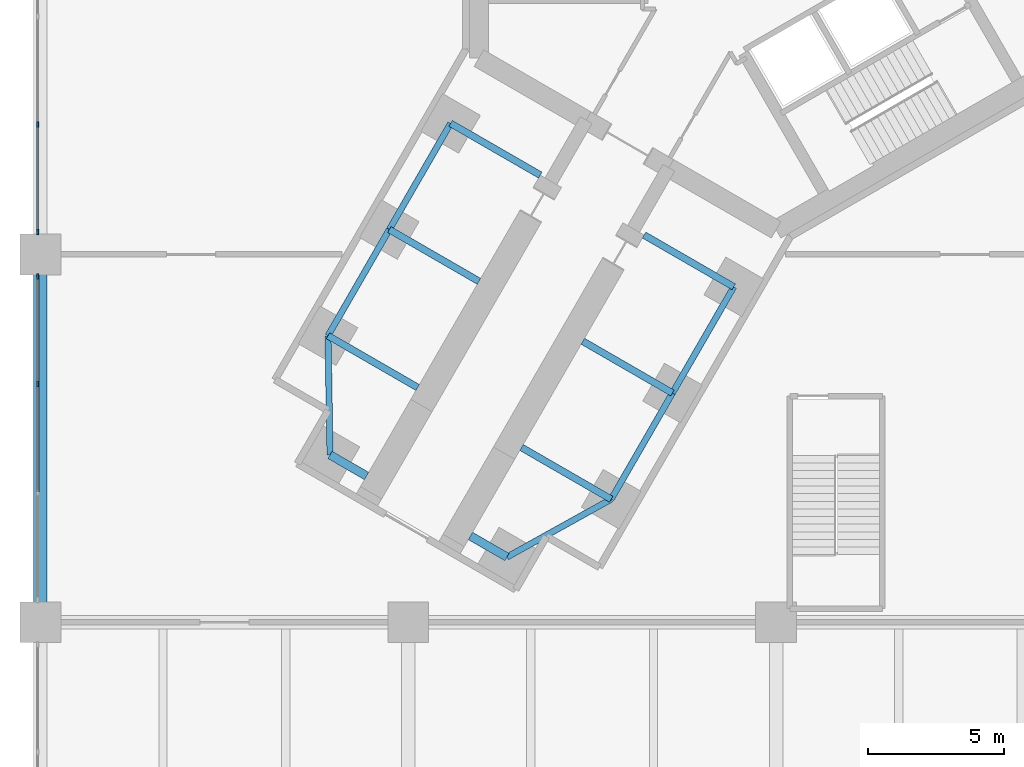
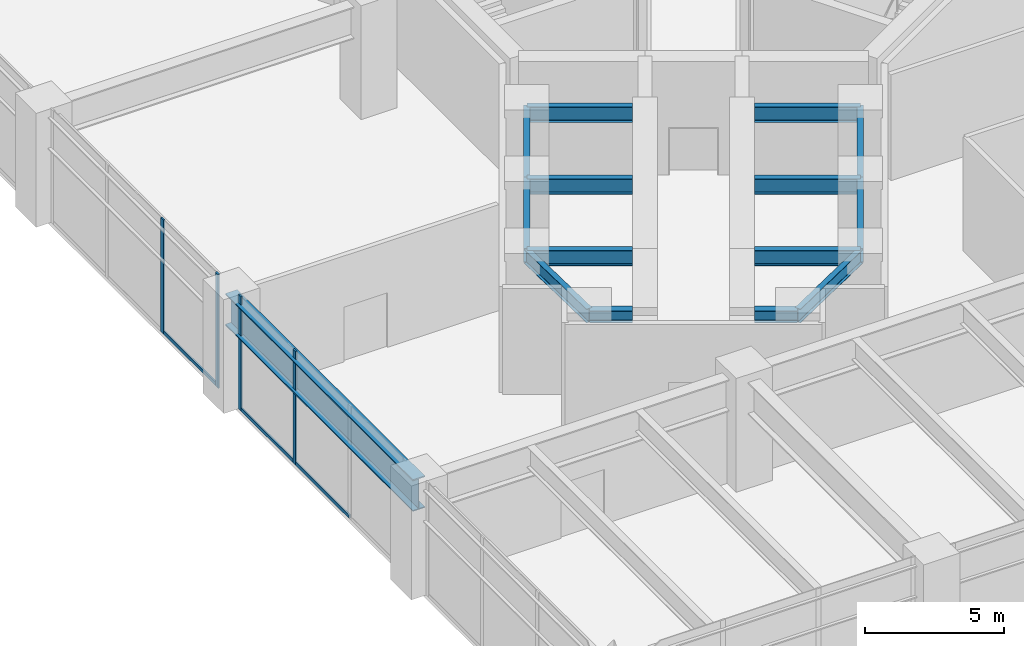
# One storey, part 3 of 32: 15 beams, 7 members, 2 elements without a shape of their own.
"""IFC4 building model written with IfcOpenShell, lengths in metres."""

from ifc_helpers import new_model, si_unit, direction, frame, origin, origin_2d, place, context, subcontext, project, spatial, rectangle, i_section, extrude, material, material_profile, profile_set, type_object, element, aggregate, save


model = new_model("IFC4")

# Units and contexts
model_context = context("Model", 3, precision=1e-05, world=origin(), true_north=direction((0.0, 1.0)))
body_context = subcontext(model_context, "Body", "Model", "MODEL_VIEW")
ifc_project = project(units=[si_unit("LENGTHUNIT", "METRE"), si_unit("AREAUNIT", "SQUARE_METRE"), si_unit("VOLUMEUNIT", "CUBIC_METRE"), si_unit("PLANEANGLEUNIT", "RADIAN"), si_unit("MASSUNIT", "GRAM", prefix="KILO")], contexts=[model_context])

# Site, building, storey
site_placement = place(None, origin())
site = spatial("IfcSite", under=ifc_project, at=site_placement, CompositionType="ELEMENT")
building_placement = place(site_placement, origin())
building = spatial("IfcBuilding", under=site, at=building_placement, Name="Upepo Twin Towers", CompositionType="ELEMENT")
storey_placement = place(building_placement, frame((0.0, 0.0, 5.5)))
storey = spatial("IfcBuildingStorey", under=building, at=storey_placement, Name="L01", CompositionType="ELEMENT", Elevation=5.5)

# Beams
ifc_material_1 = material(Name="Steel S355", Category="steel")
ifc_material_profile_1 = material_profile(ifc_material_1, i_section(OverallWidth=0.5, OverallDepth=1.39990234375, WebThickness=0.02490234375, FlangeThickness=0.050048828125, FilletRadius=0.008056640625, at=origin_2d()), Name="PG 1400x500x25x50")
ifc_profile_set_1 = profile_set([ifc_material_profile_1], Name="Steel S355")
beam_type_1 = type_object("IfcBeamType", Name="Beam PG 1400x500x25x50", PredefinedType="BEAM", material=ifc_profile_set_1)
beam_1_placement = place(storey_placement, frame((-27.0, -27.0, 3.949951171875), z_axis=(0.0, 1.0, 0.0), x_axis=(-1.0, 0.0, 0.0)))
element("IfcBeam", 1, at=beam_1_placement, inside=storey, type_object=beam_type_1, Name="Podium girder 1/B-C", PredefinedType="BEAM", context=body_context, shape_type="SweptSolid", body=[
    extrude(i_section(OverallWidth=0.5, OverallDepth=1.39990234375, WebThickness=0.02490234375, FlangeThickness=0.050048828125, FilletRadius=0.008056640625, at=origin_2d()), origin(), (0.0, 0.0, 1.0), 13.5),
])
ifc_material_2 = material(Name="Steel S355", Category="steel")
ifc_material_profile_2 = material_profile(ifc_material_2, i_section(OverallWidth=0.31201171875, OverallDepth=0.54345703125, WebThickness=0.0126953125, FlangeThickness=0.020263671875, FilletRadius=0.0126953125, at=origin_2d()), Name="UB 533x312x150")
ifc_profile_set_2 = profile_set([ifc_material_profile_2], Name="Steel S355")
beam_type_2 = type_object("IfcBeamType", Name="Beam UB 533x312x150", PredefinedType="BEAM", material=ifc_profile_set_2)
for number, where, z_axis, x_axis, name in (
    (2, (-9.87744140625, -24.608154296875, 4.378173828125), (-0.866043940782, 0.499967891604, 0.0), (-0.499967891604, -0.866043940782, 0.0), "T1 nose beam CL"),
    (3, (-16.37255859375, -20.858154296875, 4.378173828125), (0.866043940782, -0.499967891604, 0.0), (0.499967891604, 0.866043940782, 0.0), "T1 nose beam CR"),
):
    element("IfcBeam", number, at=place(storey_placement, frame(where, z_axis=z_axis, x_axis=x_axis)), inside=storey, type_object=beam_type_2, Name=name, PredefinedType="BEAM", context=body_context, shape_type="SweptSolid", body=[
        extrude(i_section(OverallWidth=0.31201171875, OverallDepth=0.54345703125, WebThickness=0.0126953125, FlangeThickness=0.020263671875, FilletRadius=0.0126953125, at=origin_2d()), origin(), (0.0, 0.0, 1.0), 1.5498046875),
    ])
ifc_material_3 = material(Name="Steel S355", Category="steel")
ifc_material_profile_3 = material_profile(ifc_material_3, i_section(OverallWidth=0.228271484375, OverallDepth=0.607666015625, WebThickness=0.010986328125, FlangeThickness=0.017333984375, FilletRadius=0.0126953125, at=origin_2d()), Name="UB 610x229x113")
ifc_profile_set_3 = profile_set([ifc_material_profile_3], Name="Steel S355")
beam_type_3 = type_object("IfcBeamType", Name="Beam UB 610x229x113", PredefinedType="BEAM", material=ifc_profile_set_3)
beam_2_placement = place(storey_placement, frame((-1.553955078125, -14.69140625, 4.34619140625), z_axis=(-0.500013631625, -0.866017533419, 0.0), x_axis=(0.866017533419, -0.500013631625, 0.0)))
element("IfcBeam", 4, at=beam_2_placement, inside=storey, type_object=beam_type_3, Name="T1 edge beam CL 13.5-18.0", PredefinedType="BEAM", context=body_context, shape_type="SweptSolid", body=[
    extrude(i_section(OverallWidth=0.228271484375, OverallDepth=0.607666015625, WebThickness=0.010986328125, FlangeThickness=0.017333984375, FilletRadius=0.0126953125, at=origin_2d()), origin(), (0.0, 0.0, 1.0), 4.499755859375),
])
beam_3_placement = place(storey_placement, frame((-3.803955078125, -18.58837890625, 4.34619140625), z_axis=(-0.499990139034, -0.866031096941, 0.0), x_axis=(0.866031096941, -0.499990139034, 0.0)))
element("IfcBeam", 5, at=beam_3_placement, inside=storey, type_object=beam_type_3, Name="T1 edge beam CL 18.0-22.5", PredefinedType="BEAM", context=body_context, shape_type="SweptSolid", body=[
    extrude(i_section(OverallWidth=0.228271484375, OverallDepth=0.607666015625, WebThickness=0.010986328125, FlangeThickness=0.017333984375, FilletRadius=0.0126953125, at=origin_2d()), origin(), (0.0, 0.0, 1.0), 4.5),
])
beam_4_placement = place(storey_placement, frame((-6.053955078125, -22.485595703125, 4.34619140625), z_axis=(-0.874312600038, -0.485363242752, 0.0), x_axis=(0.485363242752, -0.874312600038, 0.0)))
element("IfcBeam", 6, at=beam_4_placement, inside=storey, type_object=beam_type_3, Name="T1 nose edge beam CL", PredefinedType="BEAM", context=body_context, shape_type="SweptSolid", body=[
    extrude(i_section(OverallWidth=0.228271484375, OverallDepth=0.607666015625, WebThickness=0.010986328125, FlangeThickness=0.017333984375, FilletRadius=0.0126953125, at=origin_2d()), origin(), (0.0, 0.0, 1.0), 4.373046875),
])
beam_5_placement = place(storey_placement, frame((-11.946044921875, -8.69140625, 4.34619140625), z_axis=(-0.500013631625, -0.866017533419, 0.0), x_axis=(0.866017533419, -0.500013631625, 0.0)))
element("IfcBeam", 7, at=beam_5_placement, inside=storey, type_object=beam_type_3, Name="T1 edge beam CR 13.5-18.0", PredefinedType="BEAM", context=body_context, shape_type="SweptSolid", body=[
    extrude(i_section(OverallWidth=0.228271484375, OverallDepth=0.607666015625, WebThickness=0.010986328125, FlangeThickness=0.017333984375, FilletRadius=0.0126953125, at=origin_2d()), origin(), (0.0, 0.0, 1.0), 4.499755859375),
])
beam_6_placement = place(storey_placement, frame((-14.196044921875, -12.58837890625, 4.34619140625), z_axis=(-0.499990139034, -0.866031096941, 0.0), x_axis=(0.866031096941, -0.499990139034, 0.0)))
element("IfcBeam", 8, at=beam_6_placement, inside=storey, type_object=beam_type_3, Name="T1 edge beam CR 18.0-22.5", PredefinedType="BEAM", context=body_context, shape_type="SweptSolid", body=[
    extrude(i_section(OverallWidth=0.228271484375, OverallDepth=0.607666015625, WebThickness=0.010986328125, FlangeThickness=0.017333984375, FilletRadius=0.0126953125, at=origin_2d()), origin(), (0.0, 0.0, 1.0), 4.5),
])
beam_7_placement = place(storey_placement, frame((-16.446044921875, -16.485595703125, 4.34619140625), z_axis=(0.016803880528, -0.999858804832, 0.0), x_axis=(0.999858804832, 0.016803880528, 0.0)))
element("IfcBeam", 9, at=beam_7_placement, inside=storey, type_object=beam_type_3, Name="T1 nose edge beam CR", PredefinedType="BEAM", context=body_context, shape_type="SweptSolid", body=[
    extrude(i_section(OverallWidth=0.228271484375, OverallDepth=0.607666015625, WebThickness=0.010986328125, FlangeThickness=0.017333984375, FilletRadius=0.0126953125, at=origin_2d()), origin(), (0.0, 0.0, 1.0), 4.373291015625),
])
ifc_material_4 = material(Name="Steel S355", Category="steel")
ifc_material_profile_4 = material_profile(ifc_material_4, i_section(OverallWidth=0.253662109375, OverallDepth=0.68359375, WebThickness=0.012451171875, FlangeThickness=0.01904296875, FilletRadius=0.01513671875, at=origin_2d()), Name="UB 686x254x140")
ifc_profile_set_4 = profile_set([ifc_material_profile_4], Name="Steel S355")
beam_type_4 = type_object("IfcBeamType", Name="Beam UB 686x254x140", PredefinedType="BEAM", material=ifc_profile_set_4)
beam_8_placement = place(storey_placement, frame((-1.553955078125, -14.69140625, 4.308349609375), z_axis=(-0.866000483506, 0.500043160704, 0.0), x_axis=(-0.500043160704, -0.866000483506, 0.0)))
element("IfcBeam", 10, at=beam_8_placement, inside=storey, type_object=beam_type_4, Name="T1 girder CL at 13.5", PredefinedType="BEAM", context=body_context, shape_type="SweptSolid", body=[
    extrude(i_section(OverallWidth=0.253662109375, OverallDepth=0.68359375, WebThickness=0.012451171875, FlangeThickness=0.01904296875, FilletRadius=0.01513671875, at=origin_2d()), origin(), (0.0, 0.0, 1.0), 3.800048828125),
])
for number, where, z_axis, x_axis, name in (
    (11, (-3.803955078125, -18.58837890625, 4.308349609375), (-0.866028304915, 0.499994975061, 0.0), (-0.499994975061, -0.866028304915, 0.0), "T1 girder CL at 18.0"),
    (12, (-6.053955078125, -22.485595703125, 4.308349609375), (-0.866028304915, 0.499994975061, 0.0), (-0.499994975061, -0.866028304915, 0.0), "T1 girder CL at 22.5"),
    (13, (-11.946044921875, -8.69140625, 4.308349609375), (0.866028304915, -0.499994975061, 0.0), (0.499994975061, 0.866028304915, 0.0), "T1 girder CR at 13.5"),
):
    element("IfcBeam", number, at=place(storey_placement, frame(where, z_axis=z_axis, x_axis=x_axis)), inside=storey, type_object=beam_type_4, Name=name, PredefinedType="BEAM", context=body_context, shape_type="SweptSolid", body=[
        extrude(i_section(OverallWidth=0.253662109375, OverallDepth=0.68359375, WebThickness=0.012451171875, FlangeThickness=0.01904296875, FilletRadius=0.01513671875, at=origin_2d()), origin(), (0.0, 0.0, 1.0), 3.7998046875),
    ])
beam_9_placement = place(storey_placement, frame((-14.196044921875, -12.58837890625, 4.308349609375), z_axis=(0.866000483506, -0.500043160704, 0.0), x_axis=(0.500043160704, 0.866000483506, 0.0)))
element("IfcBeam", 14, at=beam_9_placement, inside=storey, type_object=beam_type_4, Name="T1 girder CR at 18.0", PredefinedType="BEAM", context=body_context, shape_type="SweptSolid", body=[
    extrude(i_section(OverallWidth=0.253662109375, OverallDepth=0.68359375, WebThickness=0.012451171875, FlangeThickness=0.01904296875, FilletRadius=0.01513671875, at=origin_2d()), origin(), (0.0, 0.0, 1.0), 3.800048828125),
])
beam_10_placement = place(storey_placement, frame((-16.446044921875, -16.485595703125, 4.308349609375), z_axis=(0.866028304915, -0.499994975061, 0.0), x_axis=(0.499994975061, 0.866028304915, 0.0)))
element("IfcBeam", 15, at=beam_10_placement, inside=storey, type_object=beam_type_4, Name="T1 girder CR at 22.5", PredefinedType="BEAM", context=body_context, shape_type="SweptSolid", body=[
    extrude(i_section(OverallWidth=0.253662109375, OverallDepth=0.68359375, WebThickness=0.012451171875, FlangeThickness=0.01904296875, FilletRadius=0.01513671875, at=origin_2d()), origin(), (0.0, 0.0, 1.0), 3.7998046875),
])

# Curtain wall, members
ifc_material_5 = material(Name="Aluminium and clear glass", Category="aluminium")
curtain_wall_type = type_object("IfcCurtainWallType", Name="Podium curtain wall PW1", PredefinedType="NOTDEFINED", material=ifc_material_5)
curtain_wall_1_placement = place(storey_placement, origin())
curtain_wall_1 = element("IfcCurtainWall", 16, at=curtain_wall_1_placement, inside=storey, type_object=curtain_wall_type, Name="Podium L01 curtain wall W4", PredefinedType="NOTDEFINED")
ifc_material_6 = material(Name="Aluminium mullion", Category="aluminium")
ifc_material_profile_5 = material_profile(ifc_material_6, rectangle(XDim=0.06494140625, YDim=0.199951171875, at=origin_2d()), Name="MULLION 65x200 PODIUM")
ifc_profile_set_5 = profile_set([ifc_material_profile_5], Name="Aluminium mullion")
member_type_1 = type_object("IfcMemberType", Name="Mullion 65x200 PW1", PredefinedType="MULLION", material=ifc_profile_set_5)
member_1_placement = place(storey_placement, frame((-27.10009765625, -8.73828125, 0.0), z_axis=(0.0, 0.0, 1.0), x_axis=(1.0, 0.0, 0.0)))
member_1 = element("IfcMember", 17, at=member_1_placement, type_object=member_type_1, Name="Podium L01 curtain wall W4 mullion 3", PredefinedType="MULLION", context=body_context, shape_type="SweptSolid", body=[
    extrude(rectangle(XDim=0.06494140625, YDim=0.199951171875, at=origin_2d()), origin(), (0.0, 0.0, 1.0), 5.0),
])
member_2_placement = place(storey_placement, frame((-27.10009765625, -12.6826171875, 0.0), z_axis=(0.0, 0.0, 1.0), x_axis=(1.0, 0.0, 0.0)))
member_2 = element("IfcMember", 18, at=member_2_placement, type_object=member_type_1, Name="Podium L01 curtain wall W4 mullion 4", PredefinedType="MULLION", context=body_context, shape_type="SweptSolid", body=[
    extrude(rectangle(XDim=0.06494140625, YDim=0.199951171875, at=origin_2d()), origin(), (0.0, 0.0, 1.0), 5.0),
])

curtain_wall_2_placement = place(storey_placement, origin())
curtain_wall_2 = element("IfcCurtainWall", 19, at=curtain_wall_2_placement, inside=storey, type_object=curtain_wall_type, Name="Podium L01 curtain wall W5", PredefinedType="NOTDEFINED")
member_3_placement = place(storey_placement, frame((-27.10009765625, -14.3173828125, 0.0), z_axis=(0.0, 0.0, 1.0), x_axis=(1.0, 0.0, 0.0)))
member_3 = element("IfcMember", 20, at=member_3_placement, type_object=member_type_1, Name="Podium L01 curtain wall W5 mullion 1", PredefinedType="MULLION", context=body_context, shape_type="SweptSolid", body=[
    extrude(rectangle(XDim=0.06494140625, YDim=0.199951171875, at=origin_2d()), origin(), (0.0, 0.0, 1.0), 5.0),
])
member_4_placement = place(storey_placement, frame((-27.10009765625, -18.26171875, 0.0), z_axis=(0.0, 0.0, 1.0), x_axis=(1.0, 0.0, 0.0)))
member_4 = element("IfcMember", 21, at=member_4_placement, type_object=member_type_1, Name="Podium L01 curtain wall W5 mullion 2", PredefinedType="MULLION", context=body_context, shape_type="SweptSolid", body=[
    extrude(rectangle(XDim=0.06494140625, YDim=0.199951171875, at=origin_2d()), origin(), (0.0, 0.0, 1.0), 5.0),
])

# Member
ifc_material_7 = material(Name="Aluminium transom", Category="aluminium")
ifc_material_profile_6 = material_profile(ifc_material_7, rectangle(XDim=0.06494140625, YDim=0.14990234375, at=origin_2d()), Name="TRANSOM 65x150 PODIUM")
ifc_profile_set_6 = profile_set([ifc_material_profile_6], Name="Aluminium transom")
member_type_2 = type_object("IfcMemberType", Name="Transom 65x150 PW1", PredefinedType="USERDEFINED", material=ifc_profile_set_6)
member_5_placement = place(storey_placement, frame((-27.10009765625, -8.770751953125, 0.074951171875), z_axis=(0.0, -1.0, 0.0), x_axis=(1.0, 0.0, 0.0)))
member_5 = element("IfcMember", 22, at=member_5_placement, type_object=member_type_2, Name="Podium L01 curtain wall W4 transom 3", ObjectType="TRANSOM", PredefinedType="USERDEFINED", context=body_context, shape_type="SweptSolid", body=[
    extrude(rectangle(XDim=0.06494140625, YDim=0.14990234375, at=origin_2d()), origin(), (0.0, 0.0, 1.0), 3.879150390625),
])

aggregate(curtain_wall_1, [member_1, member_2, member_5])

member_6_placement = place(storey_placement, frame((-27.10009765625, -14.35009765625, 0.074951171875), z_axis=(0.0, -1.0, 0.0), x_axis=(1.0, 0.0, 0.0)))
member_6 = element("IfcMember", 23, at=member_6_placement, type_object=member_type_2, Name="Podium L01 curtain wall W5 transom 1", ObjectType="TRANSOM", PredefinedType="USERDEFINED", context=body_context, shape_type="SweptSolid", body=[
    extrude(rectangle(XDim=0.06494140625, YDim=0.14990234375, at=origin_2d()), origin(), (0.0, 0.0, 1.0), 3.879150390625),
])

member_7_placement = place(storey_placement, frame((-27.10009765625, -18.294189453125, 0.074951171875), z_axis=(0.0, -1.0, 0.0), x_axis=(1.0, 0.0, 0.0)))
member_7 = element("IfcMember", 24, at=member_7_placement, type_object=member_type_2, Name="Podium L01 curtain wall W5 transom 2", ObjectType="TRANSOM", PredefinedType="USERDEFINED", context=body_context, shape_type="SweptSolid", body=[
    extrude(rectangle(XDim=0.06494140625, YDim=0.14990234375, at=origin_2d()), origin(), (0.0, 0.0, 1.0), 3.91162109375),
])

aggregate(curtain_wall_2, [member_3, member_4, member_6, member_7])

save(model, "model.ifc")
